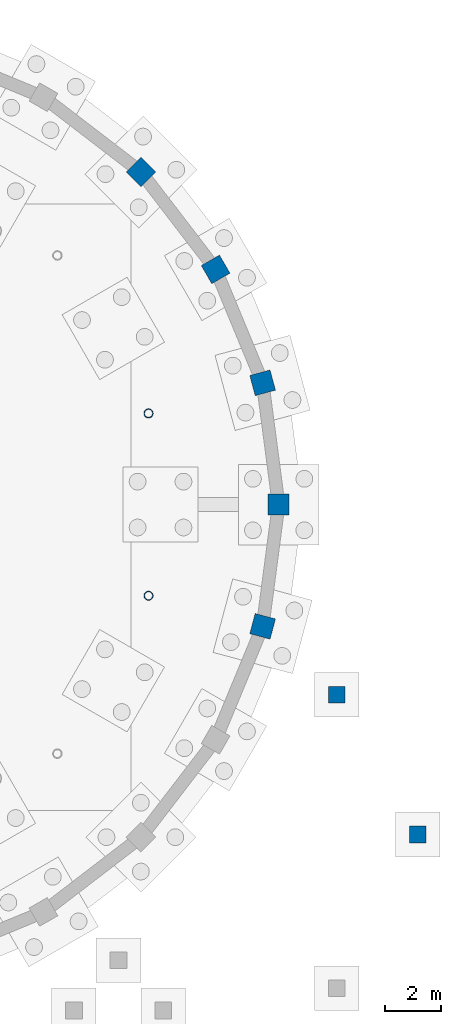
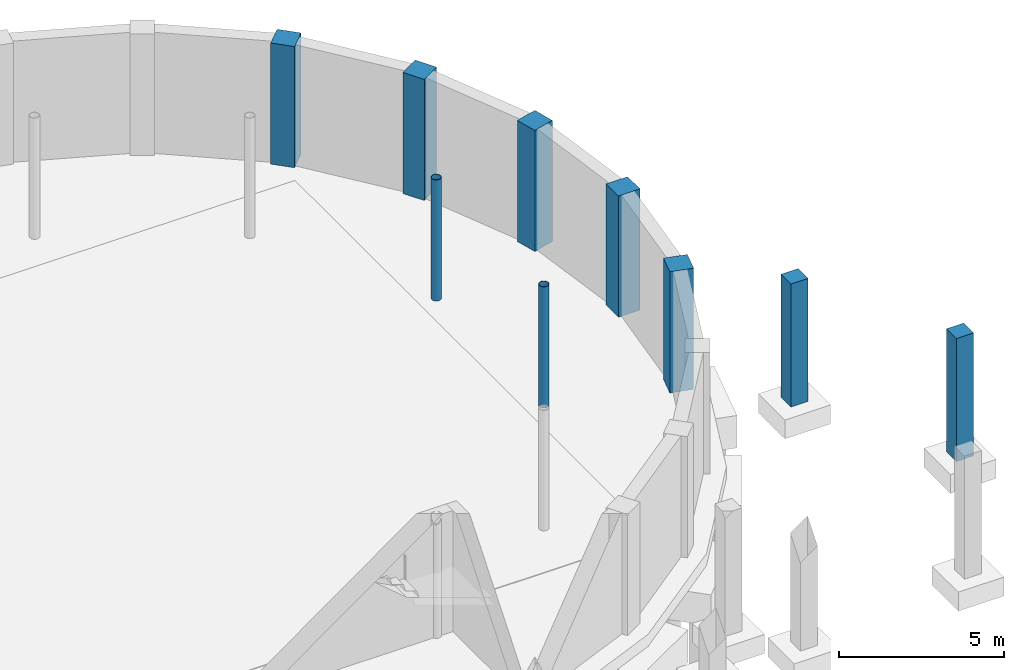
# One storey, part 9 of 26: 9 columns.
"""IFC4 building model written with IfcOpenShell, lengths in metres."""

from ifc_helpers import new_model, si_unit, direction, frame, origin, origin_2d, place, context, subcontext, project, spatial, rectangle, hollow_circle, extrude, material, material_profile, profile_set, type_object, element, save


model = new_model("IFC4")

# Units and contexts
model_context = context("Model", 3, precision=1e-05, world=origin(), true_north=direction((0.0, 1.0)))
body_context = subcontext(model_context, "Body", "Model", "MODEL_VIEW")
ifc_project = project(units=[si_unit("LENGTHUNIT", "METRE"), si_unit("AREAUNIT", "SQUARE_METRE"), si_unit("VOLUMEUNIT", "CUBIC_METRE"), si_unit("PLANEANGLEUNIT", "RADIAN"), si_unit("MASSUNIT", "GRAM", prefix="KILO")], contexts=[model_context])

# Site, building, storey
site_placement = place(None, origin())
site = spatial("IfcSite", under=ifc_project, at=site_placement, CompositionType="ELEMENT")
building_placement = place(site_placement, origin())
building = spatial("IfcBuilding", under=site, at=building_placement, Name="Kandorven Conservatory and Botanical Research Centre", CompositionType="ELEMENT")
storey_placement = place(building_placement, frame((0.0, 0.0, -4.800048828125)))
storey = spatial("IfcBuildingStorey", under=building, at=storey_placement, Name="B01", CompositionType="ELEMENT", Elevation=-4.800048828125)

# Columns
ifc_material_1 = material(Name="Concrete C40/50 (M50)", Category="concrete")
ifc_material_profile_1 = material_profile(ifc_material_1, rectangle(XDim=0.75, YDim=0.75, at=origin_2d()))
ifc_profile_set_1 = profile_set([ifc_material_profile_1], Name="Concrete C40/50 (M50)")
column_type_1 = type_object("IfcColumnType", Name="Col_DC-01", PredefinedType="COLUMN", material=ifc_profile_set_1)
for number, where, z_axis, x_axis, name in (
    (1, (104.425048828125, 47.800048828125, 0.0), (0.0, 0.0, 1.0), (1.0, 0.0, 0.0), "Conservatory drum radial pier DC-01 B01 R01"),
    (2, (103.851806640625, 52.154541015625, 0.0), (0.0, 0.0, 1.0), (0.965925826289, 0.258819045103, 0.0), "Conservatory drum radial pier DC-01 B01 R02"),
    (3, (102.1708984375, 56.21240234375, 0.0), (0.0, 0.0, 1.0), (0.866025403784, 0.5, 0.0), "Conservatory drum radial pier DC-01 B01 R03"),
    (4, (99.4970703125, 59.697021484375, 0.0), (0.0, 0.0, 1.0), (0.707106781187, 0.707106781187, 0.0), "Conservatory drum radial pier DC-01 B01 R04"),
    (5, (103.851806640625, 43.4453125, 0.0), (0.0, 0.0, 1.0), (0.965925826289, -0.258819045103, 0.0), "Conservatory drum radial pier DC-01 B01 R24"),
):
    element("IfcColumn", number, at=place(storey_placement, frame(where, z_axis=z_axis, x_axis=x_axis)), inside=storey, type_object=column_type_1, Name=name, PredefinedType="COLUMN", context=body_context, shape_type="SweptSolid", body=[
        extrude(rectangle(XDim=0.75, YDim=0.75, at=origin_2d()), origin(), (0.0, 0.0, 1.0), 4.47998046875),
    ])
ifc_material_2 = material(Name="Concrete C40/50 (M50)", Category="concrete")
ifc_material_profile_2 = material_profile(ifc_material_2, rectangle(XDim=0.60009765625, YDim=0.60009765625, at=origin_2d()))
ifc_profile_set_2 = profile_set([ifc_material_profile_2], Name="Concrete C40/50 (M50)")
column_type_2 = type_object("IfcColumnType", Name="Col_TC-04", PredefinedType="COLUMN", material=ifc_profile_set_2)
for number, where, z_axis, x_axis, name in (
    (6, (109.39990234375, 36.0, 0.0), (0.0, 0.0, 1.0), (1.0, 0.0, 0.0), "Grade apron support pier SLAB-EXT-SE-COURT-2"),
    (7, (106.5, 41.0, 0.0), (0.0, 0.0, 1.0), (1.0, 0.0, 0.0), "Grade apron support pier SLAB-EXT-SE-COURT-3"),
):
    element("IfcColumn", number, at=place(storey_placement, frame(where, z_axis=z_axis, x_axis=x_axis)), inside=storey, type_object=column_type_2, Name=name, PredefinedType="COLUMN", context=body_context, shape_type="SweptSolid", body=[
        extrude(rectangle(XDim=0.60009765625, YDim=0.60009765625, at=origin_2d()), origin(), (0.0, 0.0, 1.0), 4.550048828125),
    ])
ifc_material_3 = material(Name="Steel S355 (IS 2062 E350)", Category="steel")
ifc_material_profile_3 = material_profile(ifc_material_3, hollow_circle(Radius=0.161865234375, WallThickness=0.01611328125, at=origin_2d()))
ifc_profile_set_3 = profile_set([ifc_material_profile_3], Name="Steel S355 (IS 2062 E350)")
column_type_3 = type_object("IfcColumnType", Name="Col_WC-01", PredefinedType="COLUMN", material=ifc_profile_set_3)
for number, where, z_axis, x_axis, name in (
    (8, (99.770751953125, 51.06103515625, 0.0), (0.0, 0.0, 1.0), (1.0, 0.0, 0.0), "Conservatory canopy walkway column WC-01 B01 W01"),
    (9, (99.770751953125, 44.538818359375, 0.0), (0.0, 0.0, 1.0), (1.0, 0.0, 0.0), "Conservatory canopy walkway column WC-01 B01 W12"),
):
    element("IfcColumn", number, at=place(storey_placement, frame(where, z_axis=z_axis, x_axis=x_axis)), inside=storey, type_object=column_type_3, Name=name, PredefinedType="COLUMN", context=body_context, shape_type="SweptSolid", body=[
        extrude(hollow_circle(Radius=0.161865234375, WallThickness=0.01611328125, at=origin_2d()), origin(), (0.0, 0.0, 1.0), 4.47998046875),
    ])

save(model, "model.ifc")
